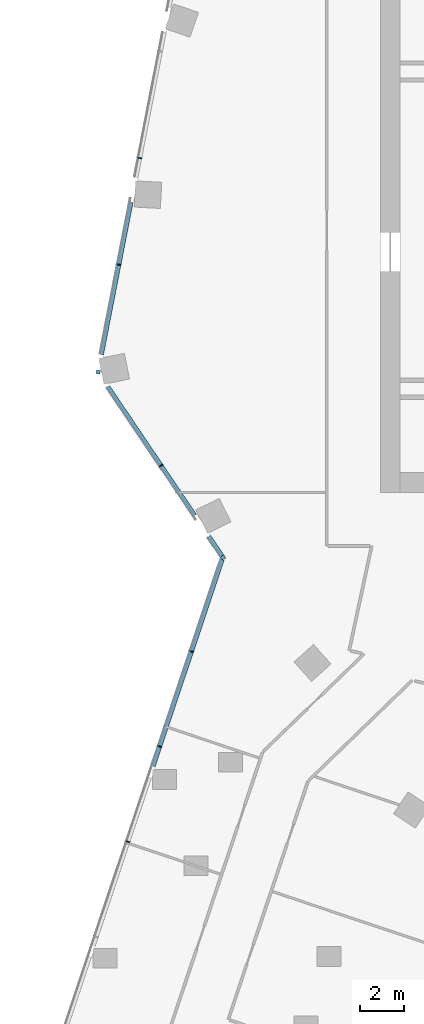
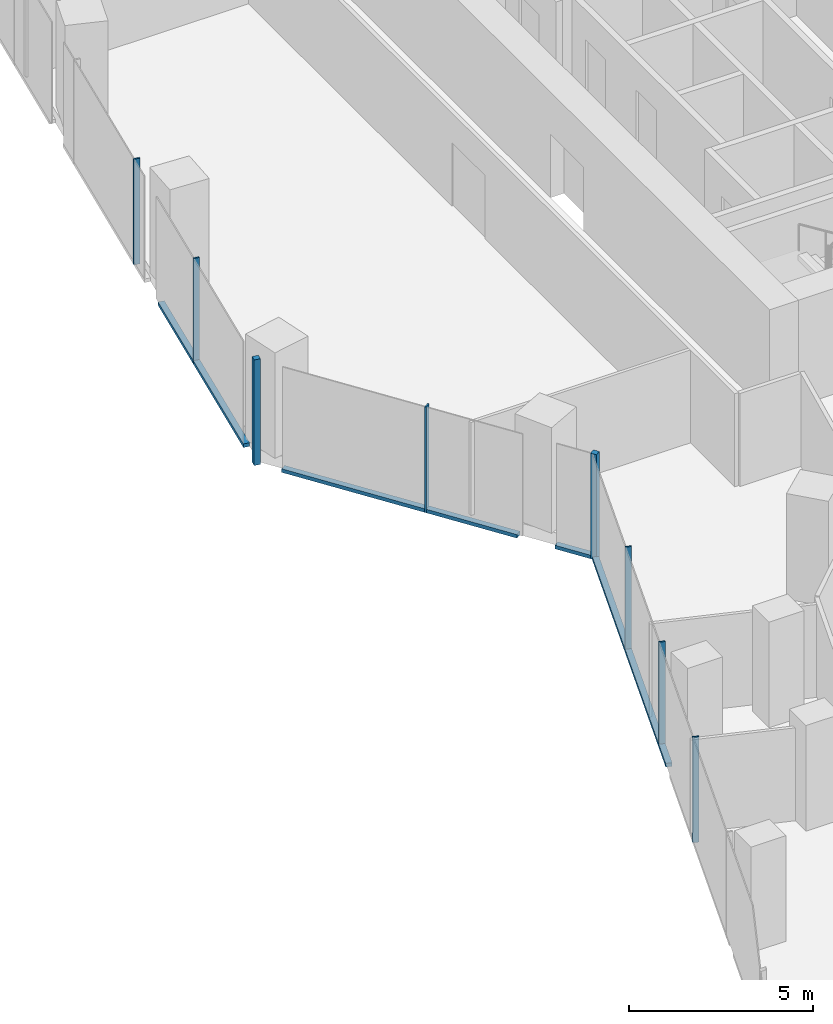
# One storey, part 6 of 32: 12 members, 3 elements without a shape of their own.
"""IFC4 building model written with IfcOpenShell, lengths in metres."""

from ifc_helpers import new_model, si_unit, direction, frame, origin, origin_2d, place, context, subcontext, project, spatial, rectangle, extrude, material, material_profile, profile_set, type_object, element, aggregate, save


model = new_model("IFC4")

# Units and contexts
model_context = context("Model", 3, precision=1e-05, world=origin(), true_north=direction((0.0, 1.0)))
body_context = subcontext(model_context, "Body", "Model", "MODEL_VIEW")
ifc_project = project(units=[si_unit("LENGTHUNIT", "METRE"), si_unit("AREAUNIT", "SQUARE_METRE"), si_unit("VOLUMEUNIT", "CUBIC_METRE"), si_unit("PLANEANGLEUNIT", "RADIAN"), si_unit("MASSUNIT", "GRAM", prefix="KILO")], contexts=[model_context])

# Site, building, storey
site_placement = place(None, origin())
site = spatial("IfcSite", under=ifc_project, at=site_placement, CompositionType="ELEMENT")
building_placement = place(site_placement, origin())
building = spatial("IfcBuilding", under=site, at=building_placement, Name="Orlundy Tower", CompositionType="ELEMENT")
storey_placement = place(building_placement, frame((0.0, 0.0, 149.10009765625)))
storey = spatial("IfcBuildingStorey", under=building, at=storey_placement, Name="L38", CompositionType="ELEMENT", Elevation=149.10009765625)

# Curtain wall, member
ifc_material_1 = material(Name="Aluminium bronze anodised", Category="aluminium")
curtain_wall_type = type_object("IfcCurtainWallType", Name="CW1 wall", PredefinedType="NOTDEFINED", material=ifc_material_1)
curtain_wall_1_placement = place(storey_placement, origin())
curtain_wall_1 = element("IfcCurtainWall", 1, at=curtain_wall_1_placement, inside=storey, type_object=curtain_wall_type, Name="CW1 run 013", PredefinedType="NOTDEFINED")
ifc_material_2 = material(Name="Aluminium bronze anodised", Category="aluminium")
ifc_material_profile_1 = material_profile(ifc_material_2, rectangle(XDim=0.179931640625, YDim=0.179931640625, at=origin_2d()), Name="CW1 corner post 180x180")
ifc_profile_set_1 = profile_set([ifc_material_profile_1], Name="Aluminium bronze anodised")
member_type_1 = type_object("IfcMemberType", Name="CW1 corner post 180x180", PredefinedType="MULLION", material=ifc_profile_set_1)
member_1_placement = place(storey_placement, frame((-26.1953125, -14.9736328125, -0.400146484375), z_axis=(0.0, 0.0, 1.0), x_axis=(-0.829032104807, -0.559201009656, 0.0)))
member_1 = element("IfcMember", 2, at=member_1_placement, type_object=member_type_1, Name="CW1 mullion 32", PredefinedType="MULLION", context=body_context, shape_type="SweptSolid", body=[
    extrude(rectangle(XDim=0.179931640625, YDim=0.179931640625, at=origin_2d()), origin(), (0.0, 0.0, 1.0), 3.5),
])

curtain_wall_2_placement = place(storey_placement, origin())
curtain_wall_2 = element("IfcCurtainWall", 3, at=curtain_wall_2_placement, inside=storey, type_object=curtain_wall_type, Name="CW1 run 014", PredefinedType="NOTDEFINED")
member_2_placement = place(storey_placement, frame((-31.91552734375, -6.493408203125, -0.400146484375), z_axis=(0.0, 0.0, 1.0), x_axis=(-0.981627952333, 0.19080503976, 0.0)))
member_2 = element("IfcMember", 4, at=member_2_placement, type_object=member_type_1, Name="CW1 mullion 34", PredefinedType="MULLION", context=body_context, shape_type="SweptSolid", body=[
    extrude(rectangle(XDim=0.179931640625, YDim=0.179931640625, at=origin_2d()), origin(), (0.0, 0.0, 1.0), 3.5),
])

# Curtain wall, members
curtain_wall_3_placement = place(storey_placement, origin())
curtain_wall_3 = element("IfcCurtainWall", 5, at=curtain_wall_3_placement, inside=storey, type_object=curtain_wall_type, Name="CW1 run 012", PredefinedType="NOTDEFINED")
ifc_material_3 = material(Name="Aluminium bronze anodised", Category="aluminium")
ifc_material_profile_2 = material_profile(ifc_material_3, rectangle(XDim=0.179931640625, YDim=0.050048828125, at=origin_2d()), Name="CW1 mullion 50x180")
ifc_profile_set_2 = profile_set([ifc_material_profile_2], Name="Aluminium bronze anodised")
member_type_2 = type_object("IfcMemberType", Name="CW1 mullion 50x180", PredefinedType="MULLION", material=ifc_profile_set_2)
member_3_placement = place(storey_placement, frame((-30.54931640625, -27.986328125, -0.400146484375), z_axis=(0.0, 0.0, 1.0), x_axis=(-0.948326756752, 0.317295386712, 0.0)))
member_3 = element("IfcMember", 6, at=member_3_placement, type_object=member_type_2, Name="CW1 mullion 29", PredefinedType="MULLION", context=body_context, shape_type="SweptSolid", body=[
    extrude(rectangle(XDim=0.179931640625, YDim=0.050048828125, at=origin_2d()), origin(), (0.0, 0.0, 1.0), 3.5),
])
member_4_placement = place(storey_placement, frame((-29.09326171875, -23.634765625, -0.400146484375), z_axis=(0.0, 0.0, 1.0), x_axis=(-0.948326756752, 0.317295386712, 0.0)))
member_4 = element("IfcMember", 7, at=member_4_placement, type_object=member_type_2, Name="CW1 mullion 30", PredefinedType="MULLION", context=body_context, shape_type="SweptSolid", body=[
    extrude(rectangle(XDim=0.179931640625, YDim=0.050048828125, at=origin_2d()), origin(), (0.0, 0.0, 1.0), 3.5),
])
member_5_placement = place(storey_placement, frame((-27.637451171875, -19.283203125, -0.400146484375), z_axis=(0.0, 0.0, 1.0), x_axis=(-0.948326756752, 0.317295386712, 0.0)))
member_5 = element("IfcMember", 8, at=member_5_placement, type_object=member_type_2, Name="CW1 mullion 31", PredefinedType="MULLION", context=body_context, shape_type="SweptSolid", body=[
    extrude(rectangle(XDim=0.179931640625, YDim=0.050048828125, at=origin_2d()), origin(), (0.0, 0.0, 1.0), 3.5),
])

# Member
member_6_placement = place(storey_placement, frame((-29.03271484375, -10.767333984375, -0.400146484375), z_axis=(0.0, 0.0, 1.0), x_axis=(-0.829032104807, -0.559201009656, 0.0)))
member_6 = element("IfcMember", 9, at=member_6_placement, type_object=member_type_2, Name="CW1 mullion 33", PredefinedType="MULLION", context=body_context, shape_type="SweptSolid", body=[
    extrude(rectangle(XDim=0.179931640625, YDim=0.050048828125, at=origin_2d()), origin(), (0.0, 0.0, 1.0), 3.5),
])

member_7_placement = place(storey_placement, frame((-30.9599609375, -1.57763671875, -0.400146484375), z_axis=(0.0, 0.0, 1.0), x_axis=(-0.981627952333, 0.19080503976, 0.0)))
member_7 = element("IfcMember", 10, at=member_7_placement, type_object=member_type_2, Name="CW1 mullion 35", PredefinedType="MULLION", context=body_context, shape_type="SweptSolid", body=[
    extrude(rectangle(XDim=0.179931640625, YDim=0.050048828125, at=origin_2d()), origin(), (0.0, 0.0, 1.0), 3.5),
])

member_8_placement = place(storey_placement, frame((-30.011474609375, 3.301513671875, -0.400146484375), z_axis=(0.0, 0.0, 1.0), x_axis=(-0.981627952333, 0.19080503976, 0.0)))
member_8 = element("IfcMember", 11, at=member_8_placement, type_object=member_type_2, Name="CW1 mullion 36", PredefinedType="MULLION", context=body_context, shape_type="SweptSolid", body=[
    extrude(rectangle(XDim=0.179931640625, YDim=0.050048828125, at=origin_2d()), origin(), (0.0, 0.0, 1.0), 3.5),
])

ifc_material_4 = material(Name="Aluminium bronze anodised", Category="aluminium")
ifc_material_profile_3 = material_profile(ifc_material_4, rectangle(XDim=0.179931640625, YDim=0.1201171875, at=origin_2d()), Name="CW1 transom 180x120")
ifc_profile_set_3 = profile_set([ifc_material_profile_3], Name="Aluminium bronze anodised")
member_type_3 = type_object("IfcMemberType", Name="CW1 transom 180x120", PredefinedType="USERDEFINED", material=ifc_profile_set_3)
member_9_placement = place(storey_placement, frame((-29.39599609375, -24.5390625, -0.340087890625), z_axis=(0.317299754244, 0.948325295432, 0.0), x_axis=(-0.948325295432, 0.317299754244, 0.0)))
member_9 = element("IfcMember", 12, at=member_9_placement, type_object=member_type_3, Name="CW1 transom", ObjectType="TRANSOM", PredefinedType="USERDEFINED", context=body_context, shape_type="SweptSolid", body=[
    extrude(rectangle(XDim=0.179931640625, YDim=0.1201171875, at=origin_2d()), origin(), (0.0, 0.0, 1.0), 9.973388671875),
])

aggregate(curtain_wall_3, [member_3, member_4, member_5, member_9])

member_10_placement = place(storey_placement, frame((-26.245849609375, -14.89892578125, -0.340087890625), z_axis=(-0.559156219571, 0.829062314977, 0.0), x_axis=(-0.829062314977, -0.559156219571, 0.0)))
member_10 = element("IfcMember", 13, at=member_10_placement, type_object=member_type_3, Name="CW1 transom", ObjectType="TRANSOM", PredefinedType="USERDEFINED", context=body_context, shape_type="SweptSolid", body=[
    extrude(rectangle(XDim=0.179931640625, YDim=0.1201171875, at=origin_2d()), origin(), (0.0, 0.0, 1.0), 1.07275390625),
])

member_11_placement = place(storey_placement, frame((-27.488525390625, -13.056396484375, -0.340087890625), z_axis=(-0.559196044815, 0.829035453683, 0.0), x_axis=(-0.829035453683, -0.559196044815, 0.0)))
member_11 = element("IfcMember", 14, at=member_11_placement, type_object=member_type_3, Name="CW1 transom", ObjectType="TRANSOM", PredefinedType="USERDEFINED", context=body_context, shape_type="SweptSolid", body=[
    extrude(rectangle(XDim=0.179931640625, YDim=0.1201171875, at=origin_2d()), origin(), (0.0, 0.0, 1.0), 7.10498046875),
])

aggregate(curtain_wall_1, [member_1, member_6, member_10, member_11])

member_12_placement = place(storey_placement, frame((-31.760498046875, -5.696044921875, -0.340087890625), z_axis=(0.190817270766, 0.981625574839, 0.0), x_axis=(-0.981625574839, 0.190817270766, 0.0)))
member_12 = element("IfcMember", 15, at=member_12_placement, type_object=member_type_3, Name="CW1 transom", ObjectType="TRANSOM", PredefinedType="USERDEFINED", context=body_context, shape_type="SweptSolid", body=[
    extrude(rectangle(XDim=0.179931640625, YDim=0.1201171875, at=origin_2d()), origin(), (0.0, 0.0, 1.0), 7.10986328125),
])

aggregate(curtain_wall_2, [member_2, member_7, member_8, member_12])

save(model, "model.ifc")
